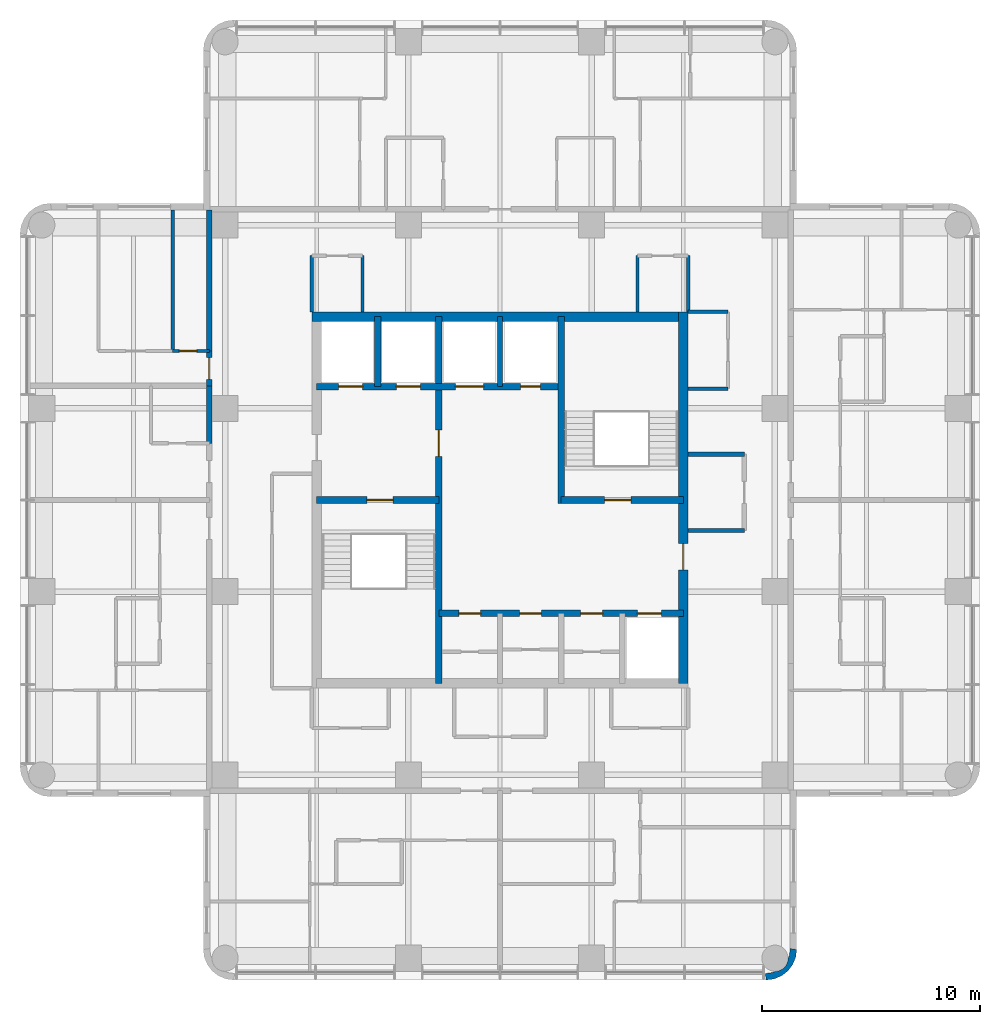
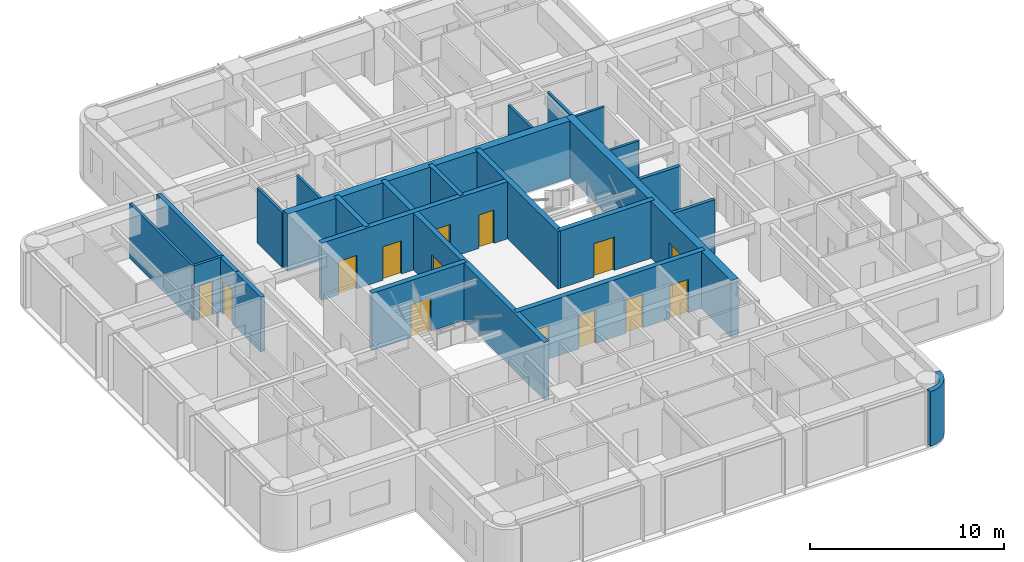
# One storey, part 6 of 10: 24 walls, 14 doors, 14 openings.
"""IFC4 building model written with IfcOpenShell, lengths in metres."""

from ifc_helpers import new_model, si_unit, direction, frame, frame_2d, origin, place, context, subcontext, project, spatial, polyline, rectangle, outline, extrude, material, layer, layer_set, type_object, element, fill, save


model = new_model("IFC4")

# Units and contexts
model_context = context("Model", 3, precision=1e-05, world=origin(), true_north=direction((0.0, 1.0)))
body_context = subcontext(model_context, "Body", "Model", "MODEL_VIEW")
ifc_project = project(units=[si_unit("LENGTHUNIT", "METRE"), si_unit("AREAUNIT", "SQUARE_METRE"), si_unit("VOLUMEUNIT", "CUBIC_METRE"), si_unit("PLANEANGLEUNIT", "RADIAN"), si_unit("MASSUNIT", "GRAM", prefix="KILO")], contexts=[model_context])

# Site, building, storey
site_placement = place(None, origin())
site = spatial("IfcSite", under=ifc_project, at=site_placement, CompositionType="ELEMENT")
building_placement = place(site_placement, origin())
building = spatial("IfcBuilding", under=site, at=building_placement, Name="Torre Alcanfor", CompositionType="ELEMENT")
storey_placement = place(building_placement, frame((0.0, 0.0, 290.10009765625)))
storey = spatial("IfcBuildingStorey", under=building, at=storey_placement, Name="L76", CompositionType="ELEMENT", Elevation=290.10009765625)

# Wall
ifc_material_1 = material(Name="Concrete block masonry, hollow blocks NMX-C-404 9 MPa", Category="masonry")
ifc_layer_1 = layer(ifc_material_1, 0.25)
ifc_layer_set_1 = layer_set([ifc_layer_1], Name="Apartment entrance wall 250 EI 60")
wall_type_1 = type_object("IfcWallType", Name="Apartment entrance wall 250 EI 60", PredefinedType="PARTITIONING", material=ifc_layer_set_1)
wall_1_placement = place(storey_placement, frame((16.074951171875, 32.0, 0.0), z_axis=(0.0, 0.0, 1.0), x_axis=(0.0, 1.0, 0.0)))
element("IfcWall", 1, at=wall_1_placement, inside=storey, type_object=wall_type_1, Name="Partition L76-CORR / L76-W2A-BATH", PredefinedType="PARTITIONING", context=body_context, shape_type="SweptSolid", body=[
    extrude(rectangle(XDim=2.62890625, YDim=0.25, at=frame_2d((1.314453125, 0.0))), origin(), (0.0, 0.0, 1.0), 3.449951171875),
])

# Wall, opening, door
wall_2_placement = place(storey_placement, frame((16.074951171875, 34.62890625, 0.0), z_axis=(0.0, 0.0, 1.0), x_axis=(0.0, 1.0, 0.0)))
wall_2 = element("IfcWall", 2, at=wall_2_placement, inside=storey, type_object=wall_type_1, Name="Partition L76-CORR / L76-W2B-LIVING", PredefinedType="PARTITIONING", context=body_context, shape_type="SweptSolid", body=[
    extrude(rectangle(XDim=1.60009765625, YDim=0.25, at=frame_2d((0.800048828125, 0.0))), origin(), (0.0, 0.0, 1.0), 3.449951171875),
])
opening_1_placement = place(wall_2_placement, frame((0.300048828125, 0.0, 0.0)))
opening_1 = element("IfcOpeningElement", 3, at=opening_1_placement, cuts=wall_2, Name="Opening D-A1", PredefinedType="OPENING", context=body_context, shape_type="SweptSolid", body=[
    extrude(rectangle(XDim=1.0, YDim=2.10009765625, at=frame_2d((0.5, 1.050048828125))), frame((0.0, 0.135009765625, 0.0), z_axis=(0.0, -1.0, 0.0), x_axis=(1.0, 0.0, 0.0)), (0.0, 0.0, 1.0), 0.27001953125),
])
ifc_material_2 = material(Name="Galvanised steel sheet ASTM A653", Category="steel")
door_type_1 = type_object("IfcDoorType", Name="Apartment entrance door FD60 1000x2100", OperationType="SINGLE_SWING_LEFT", PredefinedType="DOOR", material=ifc_material_2)
door_1_placement = place(opening_1_placement, origin())
door_1 = element("IfcDoor", 4, at=door_1_placement, inside=storey, type_object=door_type_1, Name="Apartment entrance L76-W2B", OperationType="SINGLE_SWING_LEFT", OverallHeight=2.10009765625, OverallWidth=1.0, PredefinedType="DOOR", context=body_context, shape_type="SweptSolid", body=[
    extrude(rectangle(XDim=1.0, YDim=2.10009765625, at=frame_2d((0.5, 1.050048828125))), frame((0.0, 0.02490234375, 0.0), z_axis=(0.0, -1.0, 0.0), x_axis=(1.0, 0.0, 0.0)), (0.0, 0.0, 1.0), 0.050048828125),
])
fill(opening_1, door_1)

# Wall
wall_3_placement = place(storey_placement, frame((16.074951171875, 36.22900390625, 0.0), z_axis=(0.0, 0.0, 1.0), x_axis=(0.0, 1.0, 0.0)))
element("IfcWall", 5, at=wall_3_placement, inside=storey, type_object=wall_type_1, Name="Partition L76-CORR / L76-W2B-BATH", PredefinedType="PARTITIONING", context=body_context, shape_type="SweptSolid", body=[
    extrude(rectangle(XDim=6.470947265625, YDim=0.25, at=frame_2d((3.2353515625, 0.0))), origin(), (0.0, 0.0, 1.0), 3.449951171875),
])

# Wall, opening, door
ifc_material_3 = material(Name="Concrete f'c 70 MPa", Category="concrete")
ifc_layer_2 = layer(ifc_material_3, 0.300048828125)
ifc_layer_set_2 = layer_set([ifc_layer_2], Name="Core inner wall 300 f'c70")
wall_type_2 = type_object("IfcWallType", Name="Core inner wall 300 f'c70", PredefinedType="SHEAR", material=ifc_layer_set_2)
wall_4_placement = place(storey_placement, frame((26.60009765625, 21.0, 0.0), z_axis=(0.0, 0.0, 1.0), x_axis=(0.0, 1.0, 0.0)))
wall_4 = element("IfcWall", 6, at=wall_4_placement, inside=storey, type_object=wall_type_2, Name="Core wall X266 L76", PredefinedType="SHEAR", context=body_context, shape_type="SweptSolid", body=[
    extrude(rectangle(XDim=16.800048828125, YDim=0.300048828125, at=frame_2d((8.39990234375, 0.0))), origin(), (0.0, 0.0, 1.0), 3.599853515625),
])
opening_2_placement = place(wall_4_placement, frame((10.39990234375, 0.0, 0.0)))
opening_2 = element("IfcOpeningElement", 7, at=opening_2_placement, cuts=wall_4, Name="Opening D-L1", PredefinedType="OPENING", context=body_context, shape_type="SweptSolid", body=[
    extrude(rectangle(XDim=1.199951171875, YDim=2.10009765625, at=frame_2d((0.60009765625, 1.050048828125))), frame((0.0, 0.159912109375, 0.0), z_axis=(0.0, -1.0, 0.0), x_axis=(1.0, 0.0, 0.0)), (0.0, 0.0, 1.0), 0.320068359375),
])
ifc_material_4 = material(Name="Galvanised steel sheet ASTM A653", Category="steel")
door_type_2 = type_object("IfcDoorType", Name="Lobby door FD120 1200x2100", OperationType="SINGLE_SWING_LEFT", PredefinedType="DOOR", material=ifc_material_4)
door_2_placement = place(opening_2_placement, origin())
door_2 = element("IfcDoor", 8, at=door_2_placement, inside=storey, type_object=door_type_2, Name="Lift lobby door L76", OperationType="SINGLE_SWING_LEFT", OverallHeight=2.10009765625, OverallWidth=1.199951171875, PredefinedType="DOOR", context=body_context, shape_type="SweptSolid", body=[
    extrude(rectangle(XDim=1.199951171875, YDim=2.10009765625, at=frame_2d((0.60009765625, 1.050048828125))), frame((0.0, 0.02490234375, 0.0), z_axis=(0.0, -1.0, 0.0), x_axis=(1.0, 0.0, 0.0)), (0.0, 0.0, 1.0), 0.050048828125),
])
fill(opening_2, door_2)

wall_5_placement = place(storey_placement, frame((21.0, 29.39990234375, 0.0), z_axis=(0.0, 0.0, 1.0), x_axis=(1.0, 0.0, 0.0)))
wall_5 = element("IfcWall", 9, at=wall_5_placement, inside=storey, type_object=wall_type_2, Name="Core wall Y294W L76", PredefinedType="SHEAR", context=body_context, shape_type="SweptSolid", body=[
    extrude(rectangle(XDim=5.60009765625, YDim=0.300048828125, at=frame_2d((2.800048828125, 0.0))), origin(), (0.0, 0.0, 1.0), 3.599853515625),
])
opening_3_placement = place(wall_5_placement, frame((2.300048828125, 0.0, 0.0)))
opening_3 = element("IfcOpeningElement", 10, at=opening_3_placement, cuts=wall_5, Name="Opening D-S2", PredefinedType="OPENING", context=body_context, shape_type="SweptSolid", body=[
    extrude(rectangle(XDim=1.199951171875, YDim=2.10009765625, at=frame_2d((0.60009765625, 1.050048828125))), frame((0.0, 0.159912109375, 0.0), z_axis=(0.0, -1.0, 0.0), x_axis=(1.0, 0.0, 0.0)), (0.0, 0.0, 1.0), 0.320068359375),
])
ifc_material_5 = material(Name="Galvanised steel sheet ASTM A653", Category="steel")
door_type_3 = type_object("IfcDoorType", Name="Stair enclosure door FD120 1200x2100", OperationType="SINGLE_SWING_LEFT", PredefinedType="DOOR", material=ifc_material_5)
door_3_placement = place(opening_3_placement, frame((1.199951171875, 0.0, 0.0), z_axis=(0.0, 0.0, 1.0), x_axis=(-1.0, 0.0, 0.0)))
door_3 = element("IfcDoor", 11, at=door_3_placement, inside=storey, type_object=door_type_3, Name="Stair S1 door L76", OperationType="SINGLE_SWING_LEFT", OverallHeight=2.10009765625, OverallWidth=1.199951171875, PredefinedType="DOOR", context=body_context, shape_type="SweptSolid", body=[
    extrude(rectangle(XDim=1.199951171875, YDim=2.10009765625, at=frame_2d((0.599853515625, 1.050048828125))), frame((0.0, 0.025146484375, 0.0), z_axis=(0.0, -1.0, 0.0), x_axis=(1.0, 0.0, 0.0)), (0.0, 0.0, 1.0), 0.050048828125),
])
fill(opening_3, door_3)

# Wall, openings, doors
wall_6_placement = place(storey_placement, frame((21.0, 34.60009765625, 0.0), z_axis=(0.0, 0.0, 1.0), x_axis=(1.0, 0.0, 0.0)))
wall_6 = element("IfcWall", 12, at=wall_6_placement, inside=storey, type_object=wall_type_2, Name="Core wall Y346 L76", PredefinedType="SHEAR", context=body_context, shape_type="SweptSolid", body=[
    extrude(rectangle(XDim=11.199951171875, YDim=0.300048828125, at=frame_2d((5.60009765625, 0.0))), origin(), (0.0, 0.0, 1.0), 3.599853515625),
])
opening_4_placement = place(wall_6_placement, frame((9.35009765625, 0.0, 0.0)))
opening_4 = element("IfcOpeningElement", 13, at=opening_4_placement, cuts=wall_6, Name="Opening D-Q1", PredefinedType="OPENING", context=body_context, shape_type="SweptSolid", body=[
    extrude(rectangle(XDim=0.89990234375, YDim=2.10009765625, at=frame_2d((0.449951171875, 1.050048828125))), frame((0.0, 0.159912109375, 0.0), z_axis=(0.0, -1.0, 0.0), x_axis=(1.0, 0.0, 0.0)), (0.0, 0.0, 1.0), 0.320068359375),
])
opening_5_placement = place(wall_6_placement, frame((1.0, 0.0, 0.0)))
opening_5 = element("IfcOpeningElement", 14, at=opening_5_placement, cuts=wall_6, Name="Opening LD2", PredefinedType="OPENING", context=body_context, shape_type="SweptSolid", body=[
    extrude(rectangle(XDim=1.10009765625, YDim=2.10009765625, at=frame_2d((0.550048828125, 1.050048828125))), frame((0.0, 0.159912109375, 0.0), z_axis=(0.0, -1.0, 0.0), x_axis=(1.0, 0.0, 0.0)), (0.0, 0.0, 1.0), 0.320068359375),
])
opening_6_placement = place(wall_6_placement, frame((3.64990234375, 0.0, 0.0)))
opening_6 = element("IfcOpeningElement", 15, at=opening_6_placement, cuts=wall_6, Name="Opening LD2", PredefinedType="OPENING", context=body_context, shape_type="SweptSolid", body=[
    extrude(rectangle(XDim=1.10009765625, YDim=2.10009765625, at=frame_2d((0.550048828125, 1.050048828125))), frame((0.0, 0.159912109375, 0.0), z_axis=(0.0, -1.0, 0.0), x_axis=(1.0, 0.0, 0.0)), (0.0, 0.0, 1.0), 0.320068359375),
])
opening_7_placement = place(wall_6_placement, frame((6.35009765625, 0.0, 0.0)))
opening_7 = element("IfcOpeningElement", 16, at=opening_7_placement, cuts=wall_6, Name="Opening LD3", PredefinedType="OPENING", context=body_context, shape_type="SweptSolid", body=[
    extrude(rectangle(XDim=1.300048828125, YDim=2.10009765625, at=frame_2d((0.64990234375, 1.050048828125))), frame((0.0, 0.159912109375, 0.0), z_axis=(0.0, -1.0, 0.0), x_axis=(1.0, 0.0, 0.0)), (0.0, 0.0, 1.0), 0.320068359375),
])
ifc_material_6 = material(Name="Galvanised steel sheet ASTM A653", Category="steel")
door_type_4 = type_object("IfcDoorType", Name="Firefighting lift landing door 1100x2100", OperationType="DOUBLE_DOOR_SLIDING", PredefinedType="DOOR", material=ifc_material_6)
door_4_placement = place(opening_5_placement, origin())
door_4 = element("IfcDoor", 17, at=door_4_placement, inside=storey, type_object=door_type_4, Name="Lift landing door FL1 L76", OperationType="DOUBLE_DOOR_SLIDING", OverallHeight=2.10009765625, OverallWidth=1.10009765625, PredefinedType="DOOR", context=body_context, shape_type="SweptSolid", body=[
    extrude(rectangle(XDim=1.10009765625, YDim=2.10009765625, at=frame_2d((0.550048828125, 1.050048828125))), frame((0.0, 0.02490234375, 0.0), z_axis=(0.0, -1.0, 0.0), x_axis=(1.0, 0.0, 0.0)), (0.0, 0.0, 1.0), 0.050048828125),
])
fill(opening_5, door_4)
door_5_placement = place(opening_6_placement, origin())
door_5 = element("IfcDoor", 18, at=door_5_placement, inside=storey, type_object=door_type_4, Name="Lift landing door FL2 L76", OperationType="DOUBLE_DOOR_SLIDING", OverallHeight=2.10009765625, OverallWidth=1.10009765625, PredefinedType="DOOR", context=body_context, shape_type="SweptSolid", body=[
    extrude(rectangle(XDim=1.10009765625, YDim=2.10009765625, at=frame_2d((0.550048828125, 1.050048828125))), frame((0.0, 0.02490234375, 0.0), z_axis=(0.0, -1.0, 0.0), x_axis=(1.0, 0.0, 0.0)), (0.0, 0.0, 1.0), 0.050048828125),
])
fill(opening_6, door_5)
ifc_material_7 = material(Name="Galvanised steel sheet ASTM A653", Category="steel")
door_type_5 = type_object("IfcDoorType", Name="Riser access door FD120 900x2100", OperationType="SINGLE_SWING_LEFT", PredefinedType="DOOR", material=ifc_material_7)
door_6_placement = place(opening_4_placement, origin())
door_6 = element("IfcDoor", 19, at=door_6_placement, inside=storey, type_object=door_type_5, Name="Riser door L76", OperationType="SINGLE_SWING_LEFT", OverallHeight=2.10009765625, OverallWidth=0.89990234375, PredefinedType="DOOR", context=body_context, shape_type="SweptSolid", body=[
    extrude(rectangle(XDim=0.89990234375, YDim=2.10009765625, at=frame_2d((0.449951171875, 1.050048828125))), frame((0.0, 0.02490234375, 0.0), z_axis=(0.0, -1.0, 0.0), x_axis=(1.0, 0.0, 0.0)), (0.0, 0.0, 1.0), 0.050048828125),
])
fill(opening_4, door_6)
ifc_material_8 = material(Name="Galvanised steel sheet ASTM A653", Category="steel")
door_type_6 = type_object("IfcDoorType", Name="Service lift landing door 1300x2100", OperationType="DOUBLE_DOOR_SLIDING", PredefinedType="DOOR", material=ifc_material_8)
door_7_placement = place(opening_7_placement, origin())
door_7 = element("IfcDoor", 20, at=door_7_placement, inside=storey, type_object=door_type_6, Name="Lift landing door SL1 L76", OperationType="DOUBLE_DOOR_SLIDING", OverallHeight=2.10009765625, OverallWidth=1.300048828125, PredefinedType="DOOR", context=body_context, shape_type="SweptSolid", body=[
    extrude(rectangle(XDim=1.300048828125, YDim=2.10009765625, at=frame_2d((0.64990234375, 1.050048828125))), frame((0.0, 0.02490234375, 0.0), z_axis=(0.0, -1.0, 0.0), x_axis=(1.0, 0.0, 0.0)), (0.0, 0.0, 1.0), 0.050048828125),
])
fill(opening_7, door_7)

# Wall
wall_7_placement = place(storey_placement, frame((23.800048828125, 34.60009765625, 0.0), z_axis=(0.0, 0.0, 1.0), x_axis=(0.0, 1.0, 0.0)))
element("IfcWall", 21, at=wall_7_placement, inside=storey, type_object=wall_type_2, Name="Core wall X238 L76", PredefinedType="SHEAR", context=body_context, shape_type="SweptSolid", body=[
    extrude(rectangle(XDim=3.199951171875, YDim=0.300048828125, at=frame_2d((1.60009765625, 0.0))), origin(), (0.0, 0.0, 1.0), 3.599853515625),
])

# Wall, openings, doors
wall_8_placement = place(storey_placement, frame((26.60009765625, 24.199951171875, 0.0), z_axis=(0.0, 0.0, 1.0), x_axis=(1.0, 0.0, 0.0)))
wall_8 = element("IfcWall", 22, at=wall_8_placement, inside=storey, type_object=wall_type_2, Name="Core wall Y242 L76", PredefinedType="SHEAR", context=body_context, shape_type="SweptSolid", body=[
    extrude(rectangle(XDim=11.199951171875, YDim=0.300048828125, at=frame_2d((5.60009765625, 0.0))), origin(), (0.0, 0.0, 1.0), 3.599853515625),
])
opening_8_placement = place(wall_8_placement, frame((0.91259765625, 0.0, 0.0)))
opening_8 = element("IfcOpeningElement", 23, at=opening_8_placement, cuts=wall_8, Name="Opening D-K1", PredefinedType="OPENING", context=body_context, shape_type="SweptSolid", body=[
    extrude(rectangle(XDim=1.0, YDim=2.10009765625, at=frame_2d((0.5, 1.050048828125))), frame((0.0, 0.159912109375, 0.0), z_axis=(0.0, -1.0, 0.0), x_axis=(1.0, 0.0, 0.0)), (0.0, 0.0, 1.0), 0.320068359375),
])
opening_9_placement = place(wall_8_placement, frame((3.699951171875, 0.0, 0.0)))
opening_9 = element("IfcOpeningElement", 24, at=opening_9_placement, cuts=wall_8, Name="Opening D-K1", PredefinedType="OPENING", context=body_context, shape_type="SweptSolid", body=[
    extrude(rectangle(XDim=1.0, YDim=2.10009765625, at=frame_2d((0.5, 1.050048828125))), frame((0.0, 0.159912109375, 0.0), z_axis=(0.0, -1.0, 0.0), x_axis=(1.0, 0.0, 0.0)), (0.0, 0.0, 1.0), 0.320068359375),
])
opening_10_placement = place(wall_8_placement, frame((6.5, 0.0, 0.0)))
opening_10 = element("IfcOpeningElement", 25, at=opening_10_placement, cuts=wall_8, Name="Opening D-K1", PredefinedType="OPENING", context=body_context, shape_type="SweptSolid", body=[
    extrude(rectangle(XDim=1.0, YDim=2.10009765625, at=frame_2d((0.5, 1.050048828125))), frame((0.0, 0.159912109375, 0.0), z_axis=(0.0, -1.0, 0.0), x_axis=(1.0, 0.0, 0.0)), (0.0, 0.0, 1.0), 0.320068359375),
])
opening_11_placement = place(wall_8_placement, frame((9.10009765625, 0.0, 0.0)))
opening_11 = element("IfcOpeningElement", 26, at=opening_11_placement, cuts=wall_8, Name="Opening LD1", PredefinedType="OPENING", context=body_context, shape_type="SweptSolid", body=[
    extrude(rectangle(XDim=1.10009765625, YDim=2.10009765625, at=frame_2d((0.550048828125, 1.050048828125))), frame((0.0, 0.159912109375, 0.0), z_axis=(0.0, -1.0, 0.0), x_axis=(1.0, 0.0, 0.0)), (0.0, 0.0, 1.0), 0.320068359375),
])
ifc_material_9 = material(Name="Galvanised steel sheet ASTM A653", Category="steel")
door_type_7 = type_object("IfcDoorType", Name="Core room door FD60 1000x2100", OperationType="SINGLE_SWING_LEFT", PredefinedType="DOOR", material=ifc_material_9)
door_8_placement = place(opening_8_placement, frame((1.0, 0.0, 0.0), z_axis=(0.0, 0.0, 1.0), x_axis=(-1.0, 0.0, 0.0)))
door_8 = element("IfcDoor", 27, at=door_8_placement, inside=storey, type_object=door_type_7, Name="Cleaners' store door L76", OperationType="SINGLE_SWING_RIGHT", OverallHeight=2.10009765625, OverallWidth=1.0, PredefinedType="DOOR", context=body_context, shape_type="SweptSolid", body=[
    extrude(rectangle(XDim=1.0, YDim=2.10009765625, at=frame_2d((0.5, 1.050048828125))), frame((0.0, 0.025146484375, 0.0), z_axis=(0.0, -1.0, 0.0), x_axis=(1.0, 0.0, 0.0)), (0.0, 0.0, 1.0), 0.050048828125),
])
fill(opening_8, door_8)
door_9_placement = place(opening_9_placement, frame((1.0, 0.0, 0.0), z_axis=(0.0, 0.0, 1.0), x_axis=(-1.0, 0.0, 0.0)))
door_9 = element("IfcDoor", 28, at=door_9_placement, inside=storey, type_object=door_type_7, Name="Housekeeping store door L76", OperationType="SINGLE_SWING_RIGHT", OverallHeight=2.10009765625, OverallWidth=1.0, PredefinedType="DOOR", context=body_context, shape_type="SweptSolid", body=[
    extrude(rectangle(XDim=1.0, YDim=2.10009765625, at=frame_2d((0.5, 1.050048828125))), frame((0.0, 0.025146484375, 0.0), z_axis=(0.0, -1.0, 0.0), x_axis=(1.0, 0.0, 0.0)), (0.0, 0.0, 1.0), 0.050048828125),
])
fill(opening_9, door_9)
door_10_placement = place(opening_10_placement, frame((1.0, 0.0, 0.0), z_axis=(0.0, 0.0, 1.0), x_axis=(-1.0, 0.0, 0.0)))
door_10 = element("IfcDoor", 29, at=door_10_placement, inside=storey, type_object=door_type_7, Name="Linen store door L76", OperationType="SINGLE_SWING_RIGHT", OverallHeight=2.10009765625, OverallWidth=1.0, PredefinedType="DOOR", context=body_context, shape_type="SweptSolid", body=[
    extrude(rectangle(XDim=1.0, YDim=2.10009765625, at=frame_2d((0.5, 1.050048828125))), frame((0.0, 0.025146484375, 0.0), z_axis=(0.0, -1.0, 0.0), x_axis=(1.0, 0.0, 0.0)), (0.0, 0.0, 1.0), 0.050048828125),
])
fill(opening_10, door_10)
ifc_material_10 = material(Name="Galvanised steel sheet ASTM A653", Category="steel")
door_type_8 = type_object("IfcDoorType", Name="Lift landing door 1100x2100", OperationType="DOUBLE_DOOR_SLIDING", PredefinedType="DOOR", material=ifc_material_10)
door_11_placement = place(opening_11_placement, origin())
door_11 = element("IfcDoor", 30, at=door_11_placement, inside=storey, type_object=door_type_8, Name="Lift landing door PA4 L76", OperationType="DOUBLE_DOOR_SLIDING", OverallHeight=2.10009765625, OverallWidth=1.10009765625, PredefinedType="DOOR", context=body_context, shape_type="SweptSolid", body=[
    extrude(rectangle(XDim=1.10009765625, YDim=2.10009765625, at=frame_2d((0.550048828125, 1.050048828125))), frame((0.0, 0.02490234375, 0.0), z_axis=(0.0, -1.0, 0.0), x_axis=(1.0, 0.0, 0.0)), (0.0, 0.0, 1.0), 0.050048828125),
])
fill(opening_11, door_11)

# Wall
wall_9_placement = place(storey_placement, frame((32.199951171875, 29.25, 0.0), z_axis=(0.0, 0.0, 1.0), x_axis=(0.0, 1.0, 0.0)))
element("IfcWall", 31, at=wall_9_placement, inside=storey, type_object=wall_type_2, Name="Core wall X322N L76", PredefinedType="SHEAR", context=body_context, shape_type="SweptSolid", body=[
    extrude(rectangle(XDim=8.550048828125, YDim=0.300048828125, at=frame_2d((4.27490234375, 0.0))), origin(), (0.0, 0.0, 1.0), 3.599853515625),
])

# Wall, opening, door
wall_10_placement = place(storey_placement, frame((32.199951171875, 29.39990234375, 0.0), z_axis=(0.0, 0.0, 1.0), x_axis=(1.0, 0.0, 0.0)))
wall_10 = element("IfcWall", 32, at=wall_10_placement, inside=storey, type_object=wall_type_2, Name="Core wall Y294E L76", PredefinedType="SHEAR", context=body_context, shape_type="SweptSolid", body=[
    extrude(rectangle(XDim=5.60009765625, YDim=0.300048828125, at=frame_2d((2.800048828125, 0.0))), origin(), (0.0, 0.0, 1.0), 3.599853515625),
])
opening_12_placement = place(wall_10_placement, frame((2.0, 0.0, 0.0)))
opening_12 = element("IfcOpeningElement", 33, at=opening_12_placement, cuts=wall_10, Name="Opening D-S2", PredefinedType="OPENING", context=body_context, shape_type="SweptSolid", body=[
    extrude(rectangle(XDim=1.199951171875, YDim=2.10009765625, at=frame_2d((0.60009765625, 1.050048828125))), frame((0.0, 0.159912109375, 0.0), z_axis=(0.0, -1.0, 0.0), x_axis=(1.0, 0.0, 0.0)), (0.0, 0.0, 1.0), 0.320068359375),
])
door_12_placement = place(opening_12_placement, origin())
door_12 = element("IfcDoor", 34, at=door_12_placement, inside=storey, type_object=door_type_3, Name="Stair S2 door L76", OperationType="SINGLE_SWING_LEFT", OverallHeight=2.10009765625, OverallWidth=1.199951171875, PredefinedType="DOOR", context=body_context, shape_type="SweptSolid", body=[
    extrude(rectangle(XDim=1.199951171875, YDim=2.10009765625, at=frame_2d((0.60009765625, 1.050048828125))), frame((0.0, 0.02490234375, 0.0), z_axis=(0.0, -1.0, 0.0), x_axis=(1.0, 0.0, 0.0)), (0.0, 0.0, 1.0), 0.050048828125),
])
fill(opening_12, door_12)

# Wall
ifc_material_11 = material(Name="Concrete f'c 70 MPa", Category="concrete")
ifc_layer_3 = layer(ifc_material_11, 0.25)
ifc_layer_set_3 = layer_set([ifc_layer_3], Name="Core shaft wall 250 f'c70")
wall_type_3 = type_object("IfcWallType", Name="Core shaft wall 250 f'c70", PredefinedType="SHEAR", material=ifc_layer_set_3)
wall_11_placement = place(storey_placement, frame((29.39990234375, 34.60009765625, 0.0), z_axis=(0.0, 0.0, 1.0), x_axis=(0.0, 1.0, 0.0)))
element("IfcWall", 35, at=wall_11_placement, inside=storey, type_object=wall_type_3, Name="Core wall X294N L76", PredefinedType="SHEAR", context=body_context, shape_type="SweptSolid", body=[
    extrude(rectangle(XDim=3.199951171875, YDim=0.25, at=frame_2d((1.60009765625, 0.0))), origin(), (0.0, 0.0, 1.0), 3.599853515625),
])

# Wall, opening, door
ifc_material_12 = material(Name="Concrete f'c 70 MPa", Category="concrete")
ifc_layer_4 = layer(ifc_material_12, 0.449951171875)
ifc_layer_set_4 = layer_set([ifc_layer_4], Name="Core wall 450 f'c70")
wall_type_4 = type_object("IfcWallType", Name="Core wall 450 f'c70", PredefinedType="SHEAR", material=ifc_layer_set_4)
wall_12_placement = place(storey_placement, frame((37.800048828125, 21.0, 0.0), z_axis=(0.0, 0.0, 1.0), x_axis=(0.0, 1.0, 0.0)))
wall_12 = element("IfcWall", 36, at=wall_12_placement, inside=storey, type_object=wall_type_4, Name="Core wall OUT-E L76", PredefinedType="SHEAR", context=body_context, shape_type="SweptSolid", body=[
    extrude(rectangle(XDim=17.02490234375, YDim=0.449951171875, at=frame_2d((8.512451171875, 0.0))), origin(), (0.0, 0.0, 1.0), 3.599853515625),
])
opening_13_placement = place(wall_12_placement, frame((5.199951171875, 0.0, 0.0)))
opening_13 = element("IfcOpeningElement", 37, at=opening_13_placement, cuts=wall_12, Name="Opening D-L1", PredefinedType="OPENING", context=body_context, shape_type="SweptSolid", body=[
    extrude(rectangle(XDim=1.199951171875, YDim=2.10009765625, at=frame_2d((0.60009765625, 1.050048828125))), frame((0.0, 0.23486328125, 0.0), z_axis=(0.0, -1.0, 0.0), x_axis=(1.0, 0.0, 0.0)), (0.0, 0.0, 1.0), 0.469970703125),
])
door_13_placement = place(opening_13_placement, origin())
door_13 = element("IfcDoor", 38, at=door_13_placement, inside=storey, type_object=door_type_2, Name="Lift lobby entrance door L76", OperationType="SINGLE_SWING_LEFT", OverallHeight=2.10009765625, OverallWidth=1.199951171875, PredefinedType="DOOR", context=body_context, shape_type="SweptSolid", body=[
    extrude(rectangle(XDim=1.199951171875, YDim=2.10009765625, at=frame_2d((0.60009765625, 1.050048828125))), frame((0.0, 0.02490234375, 0.0), z_axis=(0.0, -1.0, 0.0), x_axis=(1.0, 0.0, 0.0)), (0.0, 0.0, 1.0), 0.050048828125),
])
fill(opening_13, door_13)

# Walls
wall_13_placement = place(storey_placement, frame((37.800048828125, 37.800048828125, 0.0), z_axis=(0.0, 0.0, 1.0), x_axis=(-1.0, 0.0, 0.0)))
element("IfcWall", 39, at=wall_13_placement, inside=storey, type_object=wall_type_4, Name="Core wall OUT-N L76", PredefinedType="SHEAR", context=body_context, shape_type="SweptSolid", body=[
    extrude(rectangle(XDim=17.025146484375, YDim=0.449951171875, at=frame_2d((8.5126953125, 0.0))), origin(), (0.0, 0.0, 1.0), 3.599853515625),
])
ifc_material_13 = material(Name="Concrete block masonry, hollow blocks NMX-C-404 9 MPa", Category="masonry")
ifc_layer_5 = layer(ifc_material_13, 0.199951171875)
ifc_layer_set_5 = layer_set([ifc_layer_5], Name="Plant room wall 200 EI 60")
wall_type_5 = type_object("IfcWallType", Name="Plant room wall 200 EI 60", PredefinedType="PARTITIONING", material=ifc_layer_set_5)
for number, where, z_axis, x_axis, name in (
    (40, (38.02490234375, 28.0, 0.0), (0.0, 0.0, 1.0), (1.0, 0.0, 0.0), "Partition L76-CORR / L76-G03"),
    (41, (40.60009765625, 31.5, 0.0), (0.0, 0.0, 1.0), (-1.0, 0.0, 0.0), "Partition L76-CORR / L76-G03"),
):
    element("IfcWall", number, at=place(storey_placement, frame(where, z_axis=z_axis, x_axis=x_axis)), inside=storey, type_object=wall_type_5, Name=name, PredefinedType="PARTITIONING", context=body_context, shape_type="SweptSolid", body=[
        extrude(rectangle(XDim=2.5751953125, YDim=0.199951171875, at=frame_2d((1.28759765625, 0.0))), origin(), (0.0, 0.0, 1.0), 3.449951171875),
    ])
ifc_material_14 = material(Name="Concrete block masonry, hollow blocks NMX-C-404 9 MPa", Category="masonry")
ifc_layer_6 = layer(ifc_material_14, 0.14990234375)
ifc_layer_set_6 = layer_set([ifc_layer_6], Name="Residents' room partition 150")
wall_type_6 = type_object("IfcWallType", Name="Residents' room partition 150", PredefinedType="PARTITIONING", material=ifc_layer_set_6)
for number, where, z_axis, x_axis, name in (
    (42, (23.10009765625, 38.02490234375, 0.0), (0.0, 0.0, 1.0), (0.0, 1.0, 0.0), "Partition L76-CORR / L76-G01"),
    (43, (20.77490234375, 40.60009765625, 0.0), (0.0, 0.0, 1.0), (0.0, -1.0, 0.0), "Partition L76-CORR / L76-G01"),
    (44, (38.02490234375, 38.02490234375, 0.0), (0.0, 0.0, 1.0), (0.0, 1.0, 0.0), "Partition L76-CORR / L76-G02"),
    (45, (35.699951171875, 40.60009765625, 0.0), (0.0, 0.0, 1.0), (0.0, -1.0, 0.0), "Partition L76-CORR / L76-G02"),
):
    element("IfcWall", number, at=place(storey_placement, frame(where, z_axis=z_axis, x_axis=x_axis)), inside=storey, type_object=wall_type_6, Name=name, PredefinedType="PARTITIONING", context=body_context, shape_type="SweptSolid", body=[
        extrude(rectangle(XDim=2.5751953125, YDim=0.14990234375, at=frame_2d((1.28759765625, 0.0))), origin(), (0.0, 0.0, 1.0), 3.449951171875),
    ])
for number, where, z_axis, x_axis, name in (
    (46, (38.02490234375, 34.5, 0.0), (0.0, 0.0, 1.0), (1.0, 0.0, 0.0), "Partition L76-CORR / L76-G04"),
    (47, (39.85009765625, 38.02490234375, 0.0), (0.0, 0.0, 1.0), (-1.0, 0.0, 0.0), "Partition L76-CORR / L76-G04"),
):
    element("IfcWall", number, at=place(storey_placement, frame(where, z_axis=z_axis, x_axis=x_axis)), inside=storey, type_object=wall_type_6, Name=name, PredefinedType="PARTITIONING", context=body_context, shape_type="SweptSolid", body=[
        extrude(rectangle(XDim=1.8251953125, YDim=0.14990234375, at=frame_2d((0.91259765625, 0.0))), origin(), (0.0, 0.0, 1.0), 3.449951171875),
    ])
ifc_material_15 = material(Name="Limestone cladding", Category="masonry")
ifc_layer_7 = layer(ifc_material_15, 0.0400390625, Name="Facing")
ifc_material_16 = material(Name="Ventilated air cavity")
ifc_layer_8 = layer(ifc_material_16, 0.02001953125, ventilated=True, Name="Ventilated joint")
ifc_material_17 = material(Name="Mineral wool insulation", Category="insulation")
ifc_layer_9 = layer(ifc_material_17, 0.10009765625, Name="Insulation")
ifc_material_18 = material(Name="Concrete f'c 35 MPa", Category="concrete")
ifc_layer_10 = layer(ifc_material_18, 0.139892578125, Name="Backing")
ifc_layer_set_7 = layer_set([ifc_layer_7, ifc_layer_8, ifc_layer_9, ifc_layer_10], Name="Rounded corner pier stone-clad 300")
wall_type_7 = type_object("IfcWallType", Name="Rounded corner pier stone-clad 300", PredefinedType="SOLIDWALL", material=ifc_layer_set_7)
wall_14_placement = place(storey_placement, frame((41.638418254, 7.824101883, 0.0), z_axis=(0.0, 0.0, 1.0), x_axis=(0.707106781187, -0.707106781187, 0.0)))
element("IfcWall", 48, at=wall_14_placement, inside=storey, type_object=wall_type_7, Name="Corner pier L76 16", PredefinedType="SOLIDWALL", context=body_context, shape_type="SweptSolid", body=[
    extrude(outline(polyline([(0.0325517960828704, 1.468682453281438), (0.04670774238592146, 1.4545265069783868), (0.23297927971509252, 1.2116311844370118), (0.29219256729980597, 1.0692085539489986), (0.35796592756154294, 1.0034351936872616), (0.44946167805687254, 0.7824643245664655), (0.44946167805687254, 0.5431943053466035), (0.3577932940700423, 0.322396069717308), (0.2921925672998059, 0.2567953429470716), (0.23315191320659318, 0.1142000789675579), (0.046707742385921465, -0.12886787706531783), (0.03272442957437109, -0.14285118987686818), (0.2728576162517362, -0.3270511253080318), (0.4952095533045373, -0.03702685958698693), (0.6350426814200412, 0.3006442497882296), (0.6826895250742129, 0.6628293149565345), (0.635042681420041, 1.0253596471078406), (0.49520955330453736, 1.3630307564830573), (0.2726849827602357, 1.6528823887126016), (0.0325517960828704, 1.468682453281438)])), origin(), (0.0, 0.0, 1.0), 3.449951171875),
])

# Wall, opening, door
ifc_material_19 = material(Name="Cement board on steel studs", Category="steel")
ifc_layer_11 = layer(ifc_material_19, 0.14990234375)
ifc_layer_set_8 = layer_set([ifc_layer_11], Name="Wet area partition 150")
wall_type_8 = type_object("IfcWallType", Name="Wet area partition 150", PredefinedType="PARTITIONING", material=ifc_layer_set_8)
wall_15_placement = place(storey_placement, frame((14.39990234375, 36.22900390625, 0.0), z_axis=(0.0, 0.0, 1.0), x_axis=(1.0, 0.0, 0.0)))
wall_15 = element("IfcWall", 49, at=wall_15_placement, inside=storey, type_object=wall_type_8, Name="Partition L76-W2B-LIVING / L76-W2B-BATH", PredefinedType="PARTITIONING", context=body_context, shape_type="SweptSolid", body=[
    extrude(rectangle(XDim=1.675048828125, YDim=0.14990234375, at=frame_2d((0.83740234375, 0.0))), origin(), (0.0, 0.0, 1.0), 3.449951171875),
])
opening_14_placement = place(wall_15_placement, frame((0.300048828125, 0.0, 0.0)))
opening_14 = element("IfcOpeningElement", 50, at=opening_14_placement, cuts=wall_15, Name="Opening D-R2", PredefinedType="OPENING", context=body_context, shape_type="SweptSolid", body=[
    extrude(rectangle(XDim=0.800048828125, YDim=2.10009765625, at=frame_2d((0.39990234375, 1.050048828125))), frame((0.0, 0.0849609375, 0.0), z_axis=(0.0, -1.0, 0.0), x_axis=(1.0, 0.0, 0.0)), (0.0, 0.0, 1.0), 0.169921875),
])
ifc_material_20 = material(Name="Timber", Category="wood")
door_type_9 = type_object("IfcDoorType", Name="Bathroom door 800x2100", OperationType="SINGLE_SWING_LEFT", PredefinedType="DOOR", material=ifc_material_20)
door_14_placement = place(opening_14_placement, origin())
door_14 = element("IfcDoor", 51, at=door_14_placement, inside=storey, type_object=door_type_9, Name="Door L76-W2B bath", OperationType="SINGLE_SWING_LEFT", OverallHeight=2.10009765625, OverallWidth=0.800048828125, PredefinedType="DOOR", context=body_context, shape_type="SweptSolid", body=[
    extrude(rectangle(XDim=0.800048828125, YDim=2.10009765625, at=frame_2d((0.39990234375, 1.050048828125))), frame((0.0, 0.02490234375, 0.0), z_axis=(0.0, -1.0, 0.0), x_axis=(1.0, 0.0, 0.0)), (0.0, 0.0, 1.0), 0.050048828125),
])
fill(opening_14, door_14)

# Wall
wall_16_placement = place(storey_placement, frame((14.39990234375, 36.22900390625, 0.0), z_axis=(0.0, 0.0, 1.0), x_axis=(0.0, 1.0, 0.0)))
element("IfcWall", 52, at=wall_16_placement, inside=storey, type_object=wall_type_8, Name="Partition L76-W2B-BATH / L76-W2B-MASTER", PredefinedType="PARTITIONING", context=body_context, shape_type="SweptSolid", body=[
    extrude(rectangle(XDim=6.470947265625, YDim=0.14990234375, at=frame_2d((3.2353515625, 0.0))), origin(), (0.0, 0.0, 1.0), 3.449951171875),
])

save(model, "model.ifc")
